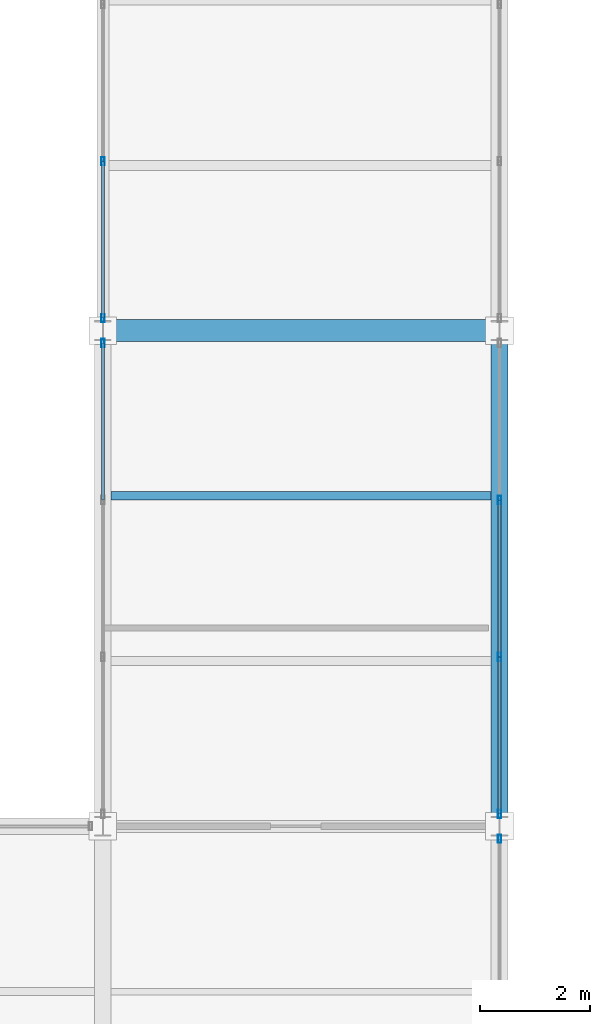
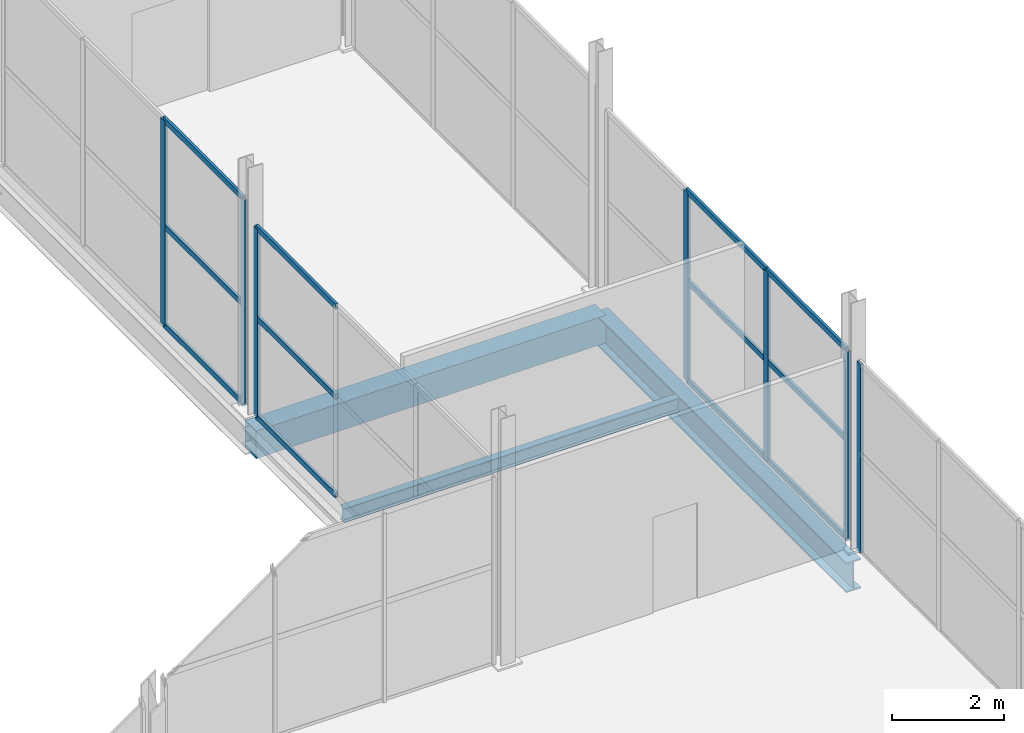
# One storey, part 79 of 141: 19 members, 3 beams, 4 elements without a shape of their own.
"""IFC4 building model written with IfcOpenShell, lengths in metres."""

from ifc_helpers import new_model, si_unit, direction, frame, origin, origin_2d, place, context, subcontext, project, spatial, rectangle, hollow_rectangle, i_section, extrude, material, layer, layer_set, material_profile, profile_set, type_object, element, aggregate, save


model = new_model("IFC4")

# Units and contexts
model_context = context("Model", 3, precision=1e-05, world=origin(), true_north=direction((0.0, 1.0)))
body_context = subcontext(model_context, "Body", "Model", "MODEL_VIEW")
ifc_project = project(units=[si_unit("LENGTHUNIT", "METRE"), si_unit("AREAUNIT", "SQUARE_METRE"), si_unit("VOLUMEUNIT", "CUBIC_METRE"), si_unit("PLANEANGLEUNIT", "RADIAN"), si_unit("MASSUNIT", "GRAM", prefix="KILO")], contexts=[model_context])

# Site, building, storey
site_placement = place(None, origin())
site = spatial("IfcSite", under=ifc_project, at=site_placement, CompositionType="ELEMENT")
building_placement = place(site_placement, origin())
building = spatial("IfcBuilding", under=site, at=building_placement, Name="Sundgate Opera House", CompositionType="ELEMENT")
storey_placement = place(building_placement, frame((0.0, 0.0, 11.39990234375)))
storey = spatial("IfcBuildingStorey", under=building, at=storey_placement, Name="L02", CompositionType="ELEMENT", Elevation=11.39990234375)

# Beams
ifc_material_1 = material(Name="Steel S355J2", Category="steel")
ifc_material_profile_1 = material_profile(ifc_material_1, i_section(OverallWidth=0.300048828125, OverallDepth=0.64990234375, WebThickness=0.01611328125, FlangeThickness=0.031005859375, at=origin_2d()), Name="HEB 650")
ifc_profile_set_1 = profile_set([ifc_material_profile_1], Name="Steel S355J2")
beam_type_1 = type_object("IfcBeamType", Name="BM-GR-HEB650", PredefinedType="BEAM", material=ifc_profile_set_1)
beam_1_placement = place(storey_placement, frame((145.800048828125, 42.0, -0.6748046875), z_axis=(0.0, 1.0, 0.0), x_axis=(-1.0, 0.0, 0.0)))
element("IfcBeam", 1, at=beam_1_placement, inside=storey, type_object=beam_type_1, Name="L02 Primary N-S Girder B1924", PredefinedType="BEAM", context=body_context, shape_type="SweptSolid", body=[
    extrude(i_section(OverallWidth=0.300048828125, OverallDepth=0.64990234375, WebThickness=0.01611328125, FlangeThickness=0.031005859375, at=origin_2d()), origin(), (0.0, 0.0, 1.0), 9.0),
])
ifc_material_2 = material(Name="Steel S355J2", Category="steel")
ifc_material_profile_2 = material_profile(ifc_material_2, i_section(OverallWidth=0.14990234375, OverallDepth=0.300048828125, WebThickness=0.007080078125, FlangeThickness=0.0107421875, at=origin_2d()), Name="IPE 300")
ifc_profile_set_2 = profile_set([ifc_material_profile_2], Name="Steel S355J2")
beam_type_2 = type_object("IfcBeamType", Name="BM-JS-IPE300", PredefinedType="JOIST", material=ifc_profile_set_2)
beam_2_placement = place(storey_placement, frame((138.75, 48.0, -0.5), z_axis=(1.0, 0.0, 0.0), x_axis=(0.0, 1.0, 0.0)))
element("IfcBeam", 2, at=beam_2_placement, inside=storey, type_object=beam_type_2, Name="L02 Secondary Floor Joist B2238", PredefinedType="JOIST", context=body_context, shape_type="SweptSolid", body=[
    extrude(i_section(OverallWidth=0.14990234375, OverallDepth=0.300048828125, WebThickness=0.007080078125, FlangeThickness=0.0107421875, at=origin_2d()), origin(), (0.0, 0.0, 1.0), 6.89990234375),
])
ifc_material_3 = material(Name="Concrete C35/45", Category="concrete")
ifc_material_profile_3 = material_profile(ifc_material_3, rectangle(XDim=0.39990234375, YDim=0.60009765625, at=origin_2d()), Name="RC 400x600")
ifc_profile_set_3 = profile_set([ifc_material_profile_3], Name="Concrete C35/45")
beam_type_3 = type_object("IfcBeamType", Name="BM-RC-400x600", PredefinedType="BEAM", material=ifc_profile_set_3)
beam_3_placement = place(storey_placement, frame((138.60009765625, 51.0, -0.64990234375), z_axis=(1.0, 0.0, 0.0), x_axis=(0.0, 1.0, 0.0)))
element("IfcBeam", 3, at=beam_3_placement, inside=storey, type_object=beam_type_3, Name="L02 Primary E-W Girder B2019", PredefinedType="BEAM", context=body_context, shape_type="SweptSolid", body=[
    extrude(rectangle(XDim=0.39990234375, YDim=0.60009765625, at=origin_2d()), origin(), (0.0, 0.0, 1.0), 7.199951171875),
])

# Curtain wall, member
ifc_material_4 = material(Name="Anodized aluminium and low-iron glass", Category="aluminium")
ifc_layer = layer(ifc_material_4, 0.159912109375)
ifc_layer_set = layer_set([ifc_layer], Name="Anodized aluminium and low-iron glass")
curtain_wall_type = type_object("IfcCurtainWallType", Name="CW-STUDIO-DARK", PredefinedType="NOTDEFINED", material=ifc_layer_set)
curtain_wall_1_placement = place(storey_placement, origin())
curtain_wall_1 = element("IfcCurtainWall", 4, at=curtain_wall_1_placement, inside=storey, type_object=curtain_wall_type, Name="L02 Curtain Wall CW063", PredefinedType="NOTDEFINED")
ifc_material_5 = material(Name="Anodized aluminium EN AW-6063", Category="aluminium")
ifc_material_profile_4 = material_profile(ifc_material_5, hollow_rectangle(XDim=0.06005859375, YDim=0.14990234375, WallThickness=0.00390625, at=origin_2d()), Name="CWM 150x60x4")
ifc_profile_set_4 = profile_set([ifc_material_profile_4], Name="Anodized aluminium EN AW-6063")
member_type_1 = type_object("IfcMemberType", Name="CWM-ALU-150x60", PredefinedType="MULLION", material=ifc_profile_set_4)
member_1_placement = place(storey_placement, frame((145.800048828125, 41.77490234375, 0.0), z_axis=(0.0, 0.0, 1.0), x_axis=(1.0, 0.0, 0.0)))
member_1 = element("IfcMember", 5, at=member_1_placement, type_object=member_type_1, Name="CW063 Mullion 4", PredefinedType="MULLION", context=body_context, shape_type="SweptSolid", body=[
    extrude(hollow_rectangle(XDim=0.06005859375, YDim=0.14990234375, WallThickness=0.00390625, at=origin_2d()), origin(), (0.0, 0.0, 1.0), 4.10498046875),
])
aggregate(curtain_wall_1, [member_1])

# Curtain wall, members
curtain_wall_2_placement = place(storey_placement, origin())
curtain_wall_2 = element("IfcCurtainWall", 6, at=curtain_wall_2_placement, inside=storey, type_object=curtain_wall_type, Name="L02 Curtain Wall CW065", PredefinedType="NOTDEFINED")
member_2_placement = place(storey_placement, frame((145.800048828125, 42.22509765625, 0.0), z_axis=(0.0, 0.0, 1.0), x_axis=(1.0, 0.0, 0.0)))
member_2 = element("IfcMember", 7, at=member_2_placement, type_object=member_type_1, Name="CW065 Mullion 1", PredefinedType="MULLION", context=body_context, shape_type="SweptSolid", body=[
    extrude(hollow_rectangle(XDim=0.06005859375, YDim=0.14990234375, WallThickness=0.00390625, at=origin_2d()), origin(), (0.0, 0.0, 1.0), 4.10498046875),
])
member_3_placement = place(storey_placement, frame((145.800048828125, 45.074951171875, 0.0), z_axis=(0.0, 0.0, 1.0), x_axis=(1.0, 0.0, 0.0)))
member_3 = element("IfcMember", 8, at=member_3_placement, type_object=member_type_1, Name="CW065 Mullion 2", PredefinedType="MULLION", context=body_context, shape_type="SweptSolid", body=[
    extrude(hollow_rectangle(XDim=0.06005859375, YDim=0.14990234375, WallThickness=0.00390625, at=origin_2d()), origin(), (0.0, 0.0, 1.0), 4.10498046875),
])
member_4_placement = place(storey_placement, frame((145.800048828125, 47.925048828125, 0.0), z_axis=(0.0, 0.0, 1.0), x_axis=(1.0, 0.0, 0.0)))
member_4 = element("IfcMember", 9, at=member_4_placement, type_object=member_type_1, Name="CW065 Mullion 3", PredefinedType="MULLION", context=body_context, shape_type="SweptSolid", body=[
    extrude(hollow_rectangle(XDim=0.06005859375, YDim=0.14990234375, WallThickness=0.00390625, at=origin_2d()), origin(), (0.0, 0.0, 1.0), 4.10498046875),
])

# Curtain wall, member
curtain_wall_3_placement = place(storey_placement, origin())
curtain_wall_3 = element("IfcCurtainWall", 10, at=curtain_wall_3_placement, inside=storey, type_object=curtain_wall_type, Name="L02 Curtain Wall CW077", PredefinedType="NOTDEFINED")
member_5_placement = place(storey_placement, frame((138.60009765625, 50.77490234375, 0.0), z_axis=(0.0, 0.0, 1.0), x_axis=(1.0, 0.0, 0.0)))
member_5 = element("IfcMember", 11, at=member_5_placement, type_object=member_type_1, Name="CW077 Mullion 1", PredefinedType="MULLION", context=body_context, shape_type="SweptSolid", body=[
    extrude(hollow_rectangle(XDim=0.06005859375, YDim=0.14990234375, WallThickness=0.00390625, at=origin_2d()), origin(), (0.0, 0.0, 1.0), 4.10498046875),
])

# Curtain wall, members
curtain_wall_4_placement = place(storey_placement, origin())
curtain_wall_4 = element("IfcCurtainWall", 12, at=curtain_wall_4_placement, inside=storey, type_object=curtain_wall_type, Name="L02 Curtain Wall CW079", PredefinedType="NOTDEFINED")
member_6_placement = place(storey_placement, frame((138.60009765625, 54.074951171875, 0.0), z_axis=(0.0, 0.0, 1.0), x_axis=(1.0, 0.0, 0.0)))
member_6 = element("IfcMember", 13, at=member_6_placement, type_object=member_type_1, Name="CW079 Mullion 3", PredefinedType="MULLION", context=body_context, shape_type="SweptSolid", body=[
    extrude(hollow_rectangle(XDim=0.06005859375, YDim=0.14990234375, WallThickness=0.00390625, at=origin_2d()), origin(), (0.0, 0.0, 1.0), 4.455078125),
])
member_7_placement = place(storey_placement, frame((138.60009765625, 51.22509765625, 0.0), z_axis=(0.0, 0.0, 1.0), x_axis=(1.0, 0.0, 0.0)))
member_7 = element("IfcMember", 14, at=member_7_placement, type_object=member_type_1, Name="CW079 Mullion 4", PredefinedType="MULLION", context=body_context, shape_type="SweptSolid", body=[
    extrude(hollow_rectangle(XDim=0.06005859375, YDim=0.14990234375, WallThickness=0.00390625, at=origin_2d()), origin(), (0.0, 0.0, 1.0), 4.455078125),
])

# Member
ifc_material_6 = material(Name="Anodized aluminium EN AW-6063", Category="aluminium")
ifc_material_profile_5 = material_profile(ifc_material_6, hollow_rectangle(XDim=0.054931640625, YDim=0.1201171875, WallThickness=0.00390625, at=origin_2d()), Name="CWT 120x55x4")
ifc_profile_set_5 = profile_set([ifc_material_profile_5], Name="Anodized aluminium EN AW-6063")
member_type_2 = type_object("IfcMemberType", Name="CWT-ALU-120x55", PredefinedType="USERDEFINED", material=ifc_profile_set_5)
member_8_placement = place(storey_placement, frame((145.800048828125, 42.22509765625, 0.0), z_axis=(0.0, 1.0, 0.0), x_axis=(-1.0, 0.0, 0.0)))
member_8 = element("IfcMember", 15, at=member_8_placement, type_object=member_type_2, Name="CW065 Transom 1", ObjectType="TRANSOM", PredefinedType="USERDEFINED", context=body_context, shape_type="SweptSolid", body=[
    extrude(hollow_rectangle(XDim=0.054931640625, YDim=0.1201171875, WallThickness=0.00390625, at=origin_2d()), origin(), (0.0, 0.0, 1.0), 2.849853515625),
])

member_9_placement = place(storey_placement, frame((145.800048828125, 42.22509765625, 2.150146484375), z_axis=(0.0, 1.0, 0.0), x_axis=(-1.0, 0.0, 0.0)))
member_9 = element("IfcMember", 16, at=member_9_placement, type_object=member_type_2, Name="CW065 Transom 2", ObjectType="TRANSOM", PredefinedType="USERDEFINED", context=body_context, shape_type="SweptSolid", body=[
    extrude(hollow_rectangle(XDim=0.054931640625, YDim=0.1201171875, WallThickness=0.00390625, at=origin_2d()), origin(), (0.0, 0.0, 1.0), 2.849853515625),
])

member_10_placement = place(storey_placement, frame((145.800048828125, 42.22509765625, 4.10498046875), z_axis=(0.0, 1.0, 0.0), x_axis=(-1.0, 0.0, 0.0)))
member_10 = element("IfcMember", 17, at=member_10_placement, type_object=member_type_2, Name="CW065 Transom 3", ObjectType="TRANSOM", PredefinedType="USERDEFINED", context=body_context, shape_type="SweptSolid", body=[
    extrude(hollow_rectangle(XDim=0.054931640625, YDim=0.1201171875, WallThickness=0.00390625, at=origin_2d()), origin(), (0.0, 0.0, 1.0), 2.849853515625),
])

member_11_placement = place(storey_placement, frame((145.800048828125, 45.074951171875, 0.0), z_axis=(0.0, 1.0, 0.0), x_axis=(-1.0, 0.0, 0.0)))
member_11 = element("IfcMember", 18, at=member_11_placement, type_object=member_type_2, Name="CW065 Transom 4", ObjectType="TRANSOM", PredefinedType="USERDEFINED", context=body_context, shape_type="SweptSolid", body=[
    extrude(hollow_rectangle(XDim=0.054931640625, YDim=0.1201171875, WallThickness=0.00390625, at=origin_2d()), origin(), (0.0, 0.0, 1.0), 2.85009765625),
])

member_12_placement = place(storey_placement, frame((145.800048828125, 45.074951171875, 2.150146484375), z_axis=(0.0, 1.0, 0.0), x_axis=(-1.0, 0.0, 0.0)))
member_12 = element("IfcMember", 19, at=member_12_placement, type_object=member_type_2, Name="CW065 Transom 5", ObjectType="TRANSOM", PredefinedType="USERDEFINED", context=body_context, shape_type="SweptSolid", body=[
    extrude(hollow_rectangle(XDim=0.054931640625, YDim=0.1201171875, WallThickness=0.00390625, at=origin_2d()), origin(), (0.0, 0.0, 1.0), 2.85009765625),
])

member_13_placement = place(storey_placement, frame((145.800048828125, 45.074951171875, 4.10498046875), z_axis=(0.0, 1.0, 0.0), x_axis=(-1.0, 0.0, 0.0)))
member_13 = element("IfcMember", 20, at=member_13_placement, type_object=member_type_2, Name="CW065 Transom 6", ObjectType="TRANSOM", PredefinedType="USERDEFINED", context=body_context, shape_type="SweptSolid", body=[
    extrude(hollow_rectangle(XDim=0.054931640625, YDim=0.1201171875, WallThickness=0.00390625, at=origin_2d()), origin(), (0.0, 0.0, 1.0), 2.85009765625),
])

aggregate(curtain_wall_2, [member_2, member_3, member_4, member_8, member_9, member_10, member_11, member_12, member_13])

member_14_placement = place(storey_placement, frame((138.60009765625, 50.77490234375, 0.0), z_axis=(0.0, -1.0, 0.0), x_axis=(1.0, 0.0, 0.0)))
member_14 = element("IfcMember", 21, at=member_14_placement, type_object=member_type_2, Name="CW077 Transom 1", ObjectType="TRANSOM", PredefinedType="USERDEFINED", context=body_context, shape_type="SweptSolid", body=[
    extrude(hollow_rectangle(XDim=0.054931640625, YDim=0.1201171875, WallThickness=0.00390625, at=origin_2d()), origin(), (0.0, 0.0, 1.0), 2.849853515625),
])

member_15_placement = place(storey_placement, frame((138.60009765625, 50.77490234375, 2.150146484375), z_axis=(0.0, -1.0, 0.0), x_axis=(1.0, 0.0, 0.0)))
member_15 = element("IfcMember", 22, at=member_15_placement, type_object=member_type_2, Name="CW077 Transom 2", ObjectType="TRANSOM", PredefinedType="USERDEFINED", context=body_context, shape_type="SweptSolid", body=[
    extrude(hollow_rectangle(XDim=0.054931640625, YDim=0.1201171875, WallThickness=0.00390625, at=origin_2d()), origin(), (0.0, 0.0, 1.0), 2.849853515625),
])

member_16_placement = place(storey_placement, frame((138.60009765625, 50.77490234375, 4.10498046875), z_axis=(0.0, -1.0, 0.0), x_axis=(1.0, 0.0, 0.0)))
member_16 = element("IfcMember", 23, at=member_16_placement, type_object=member_type_2, Name="CW077 Transom 3", ObjectType="TRANSOM", PredefinedType="USERDEFINED", context=body_context, shape_type="SweptSolid", body=[
    extrude(hollow_rectangle(XDim=0.054931640625, YDim=0.1201171875, WallThickness=0.00390625, at=origin_2d()), origin(), (0.0, 0.0, 1.0), 2.849853515625),
])

aggregate(curtain_wall_3, [member_5, member_14, member_15, member_16])

member_17_placement = place(storey_placement, frame((138.60009765625, 54.074951171875, 0.0), z_axis=(0.0, -1.0, 0.0), x_axis=(1.0, 0.0, 0.0)))
member_17 = element("IfcMember", 24, at=member_17_placement, type_object=member_type_2, Name="CW079 Transom 7", ObjectType="TRANSOM", PredefinedType="USERDEFINED", context=body_context, shape_type="SweptSolid", body=[
    extrude(hollow_rectangle(XDim=0.054931640625, YDim=0.1201171875, WallThickness=0.00390625, at=origin_2d()), origin(), (0.0, 0.0, 1.0), 2.849853515625),
])

member_18_placement = place(storey_placement, frame((138.60009765625, 54.074951171875, 2.150146484375), z_axis=(0.0, -1.0, 0.0), x_axis=(1.0, 0.0, 0.0)))
member_18 = element("IfcMember", 25, at=member_18_placement, type_object=member_type_2, Name="CW079 Transom 8", ObjectType="TRANSOM", PredefinedType="USERDEFINED", context=body_context, shape_type="SweptSolid", body=[
    extrude(hollow_rectangle(XDim=0.054931640625, YDim=0.1201171875, WallThickness=0.00390625, at=origin_2d()), origin(), (0.0, 0.0, 1.0), 2.849853515625),
])

member_19_placement = place(storey_placement, frame((138.60009765625, 54.074951171875, 4.455078125), z_axis=(0.0, -1.0, 0.0), x_axis=(1.0, 0.0, 0.0)))
member_19 = element("IfcMember", 26, at=member_19_placement, type_object=member_type_2, Name="CW079 Transom 9", ObjectType="TRANSOM", PredefinedType="USERDEFINED", context=body_context, shape_type="SweptSolid", body=[
    extrude(hollow_rectangle(XDim=0.054931640625, YDim=0.1201171875, WallThickness=0.00390625, at=origin_2d()), origin(), (0.0, 0.0, 1.0), 2.849853515625),
])

aggregate(curtain_wall_4, [member_6, member_7, member_17, member_18, member_19])

save(model, "model.ifc")
